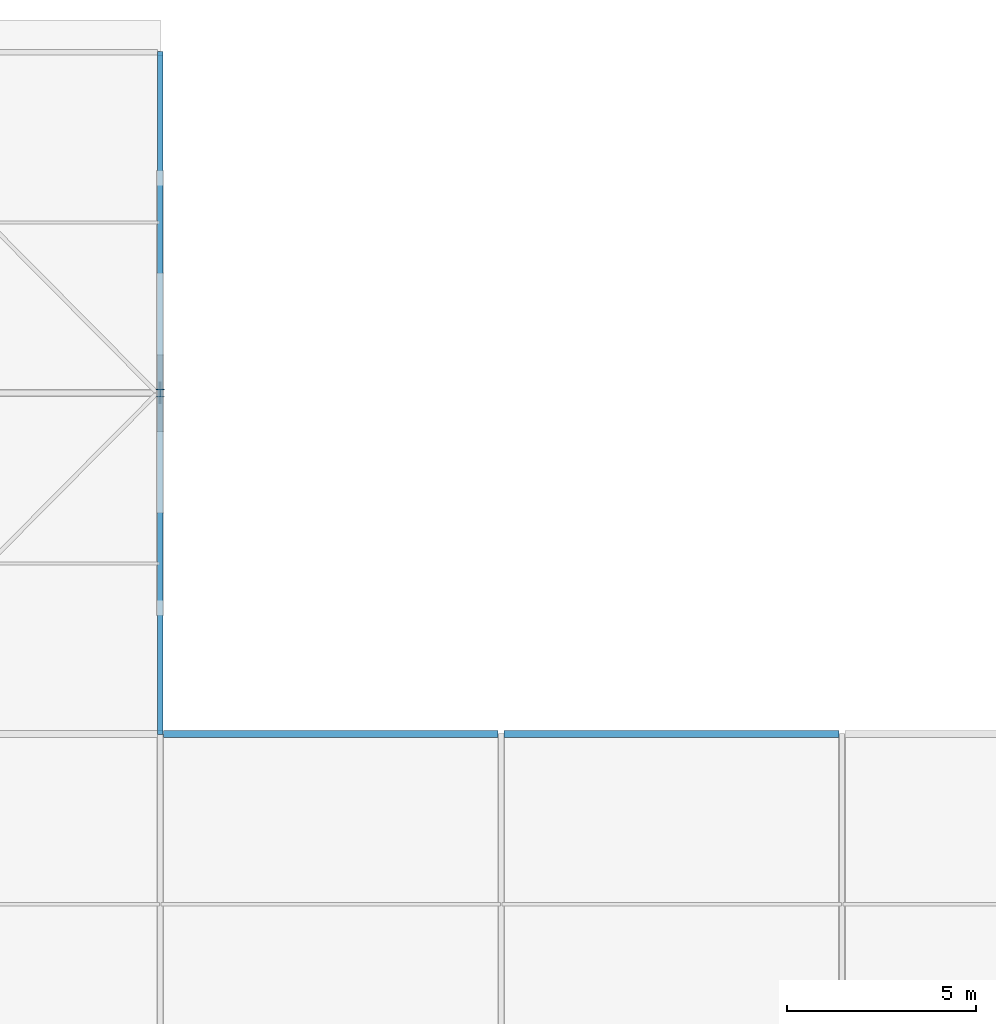
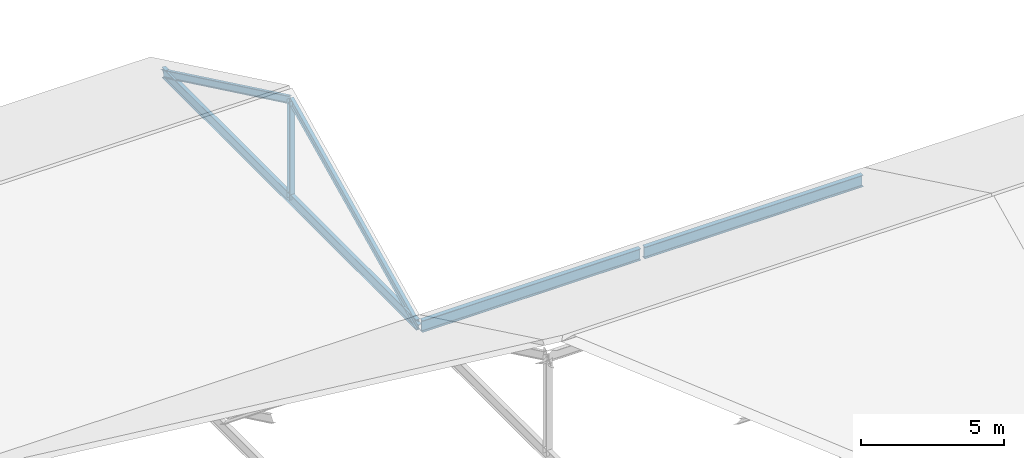
# One storey, part 4 of 9: 3 beams, 3 members.
"""IFC4 building model written with IfcOpenShell, lengths in metres."""

from ifc_helpers import new_model, si_unit, direction, frame, origin, origin_2d, place, context, subcontext, project, spatial, i_section, extrude, material, material_profile, profile_set, type_object, element, save


model = new_model("IFC4")

# Units and contexts
model_context = context("Model", 3, precision=1e-05, world=origin(), true_north=direction((0.0, 1.0)))
body_context = subcontext(model_context, "Body", "Model", "MODEL_VIEW")
ifc_project = project(units=[si_unit("LENGTHUNIT", "METRE"), si_unit("AREAUNIT", "SQUARE_METRE"), si_unit("VOLUMEUNIT", "CUBIC_METRE"), si_unit("PLANEANGLEUNIT", "RADIAN"), si_unit("MASSUNIT", "GRAM", prefix="KILO")], contexts=[model_context])

# Site, building, storey
site_placement = place(None, origin())
site = spatial("IfcSite", under=ifc_project, at=site_placement, CompositionType="ELEMENT")
building_placement = place(site_placement, origin())
building = spatial("IfcBuilding", under=site, at=building_placement, Name="Tharagai Park Tramway Depot", CompositionType="ELEMENT")
storey_placement = place(building_placement, frame((0.0, 0.0, 18.0)))
storey = spatial("IfcBuildingStorey", under=building, at=storey_placement, Name="RF", CompositionType="ELEMENT", Elevation=18.0)

# Beams
ifc_material = material(Name="Steel E350", Category="steel")
ifc_material_profile_1 = material_profile(ifc_material, i_section(OverallWidth=0.14990234375, OverallDepth=0.449951171875, WebThickness=0.009521484375, FlangeThickness=0.017333984375, FilletRadius=0.014892578125, at=origin_2d()), Name="ISMB 450")
ifc_profile_set_1 = profile_set([ifc_material_profile_1], Name="Steel E350")
beam_type_1 = type_object("IfcBeamType", Name="BM-02", PredefinedType="BEAM", material=ifc_profile_set_1)
beam_placement = place(storey_placement, frame((18.0, 18.080078125, -0.47509765625), z_axis=(0.0, 1.0, 0.0), x_axis=(-1.0, 0.0, 0.0)))
element("IfcBeam", 1, at=beam_placement, inside=storey, type_object=beam_type_1, Name="V4W Gable Tie Girder BM-02", PredefinedType="BEAM", context=body_context, shape_type="SweptSolid", body=[
    extrude(i_section(OverallWidth=0.14990234375, OverallDepth=0.449951171875, WebThickness=0.009521484375, FlangeThickness=0.017333984375, FilletRadius=0.014892578125, at=origin_2d()), origin(), (0.0, 0.0, 1.0), 17.83984375),
])
ifc_material_profile_2 = material_profile(ifc_material, i_section(OverallWidth=0.179931640625, OverallDepth=0.5, WebThickness=0.01025390625, FlangeThickness=0.01708984375, FilletRadius=0.01708984375, at=origin_2d()), Name="ISMB 500")
ifc_profile_set_2 = profile_set([ifc_material_profile_2], Name="Steel E350")
beam_type_2 = type_object("IfcBeamType", Name="BM-18", PredefinedType="BEAM", material=ifc_profile_set_2)
for number, where, z_axis, x_axis, name in (
    (2, (18.080078125, 18.0, -0.5), (1.0, 0.0, 0.0), (0.0, 1.0, 0.0), "V4S Roof Eave Girder BM-18"),
    (3, (27.080078125, 18.0, -0.5), (1.0, 0.0, 0.0), (0.0, 1.0, 0.0), "V4S Roof Eave Girder BM-18"),
):
    element("IfcBeam", number, at=place(storey_placement, frame(where, z_axis=z_axis, x_axis=x_axis)), inside=storey, type_object=beam_type_2, Name=name, PredefinedType="BEAM", context=body_context, shape_type="SweptSolid", body=[
        extrude(i_section(OverallWidth=0.179931640625, OverallDepth=0.5, WebThickness=0.01025390625, FlangeThickness=0.01708984375, FilletRadius=0.01708984375, at=origin_2d()), origin(), (0.0, 0.0, 1.0), 8.83984375),
    ])

# Members
ifc_material_profile_3 = material_profile(ifc_material, i_section(OverallWidth=0.199951171875, OverallDepth=0.199951171875, WebThickness=0.0078125, FlangeThickness=0.009033203125, FilletRadius=0.009033203125, at=origin_2d()), Name="ISHB 200")
ifc_profile_set_3 = profile_set([ifc_material_profile_3], Name="Steel E350")
member_type_1 = type_object("IfcMemberType", Name="BR-10", PredefinedType="BRACE", material=ifc_profile_set_3)
member_placement = place(storey_placement, frame((18.0, 27.0, -0.47509765625), z_axis=(0.0, 0.0, 1.0), x_axis=(1.0, 0.0, 0.0)))
element("IfcMember", 4, at=member_placement, inside=storey, type_object=member_type_1, Name="V4W Gable King Strut BR-10", PredefinedType="BRACE", context=body_context, shape_type="SweptSolid", body=[
    extrude(i_section(OverallWidth=0.199951171875, OverallDepth=0.199951171875, WebThickness=0.0078125, FlangeThickness=0.009033203125, FilletRadius=0.009033203125, at=origin_2d()), origin(), (0.0, 0.0, 1.0), 4.21533203125),
])
ifc_material_profile_4 = material_profile(ifc_material, i_section(OverallWidth=0.139892578125, OverallDepth=0.300048828125, WebThickness=0.0078125, FlangeThickness=0.01318359375, FilletRadius=0.013916015625, at=origin_2d()), Name="ISMB 300")
ifc_profile_set_4 = profile_set([ifc_material_profile_4], Name="Steel E350")
member_type_2 = type_object("IfcMemberType", Name="RF-02", PredefinedType="RAFTER", material=ifc_profile_set_4)
for number, where, z_axis, x_axis, name in (
    (5, (18.0, 18.050048828125, -0.552734375), (0.0, 0.901641235071, 0.432484778021), (-1.0, 0.0, 0.0), "V4W Pitched Rafter RF-02 South"),
    (6, (18.0, 27.0, 3.740234375), (0.0, 0.901641235071, -0.432484778021), (-1.0, 0.0, 0.0), "V4W Pitched Rafter RF-02 North"),
):
    element("IfcMember", number, at=place(storey_placement, frame(where, z_axis=z_axis, x_axis=x_axis)), inside=storey, type_object=member_type_2, Name=name, PredefinedType="RAFTER", context=body_context, shape_type="SweptSolid", body=[
        extrude(i_section(OverallWidth=0.139892578125, OverallDepth=0.300048828125, WebThickness=0.0078125, FlangeThickness=0.01318359375, FilletRadius=0.013916015625, at=origin_2d()), origin(), (0.0, 0.0, 1.0), 9.92626953125),
    ])

save(model, "model.ifc")
